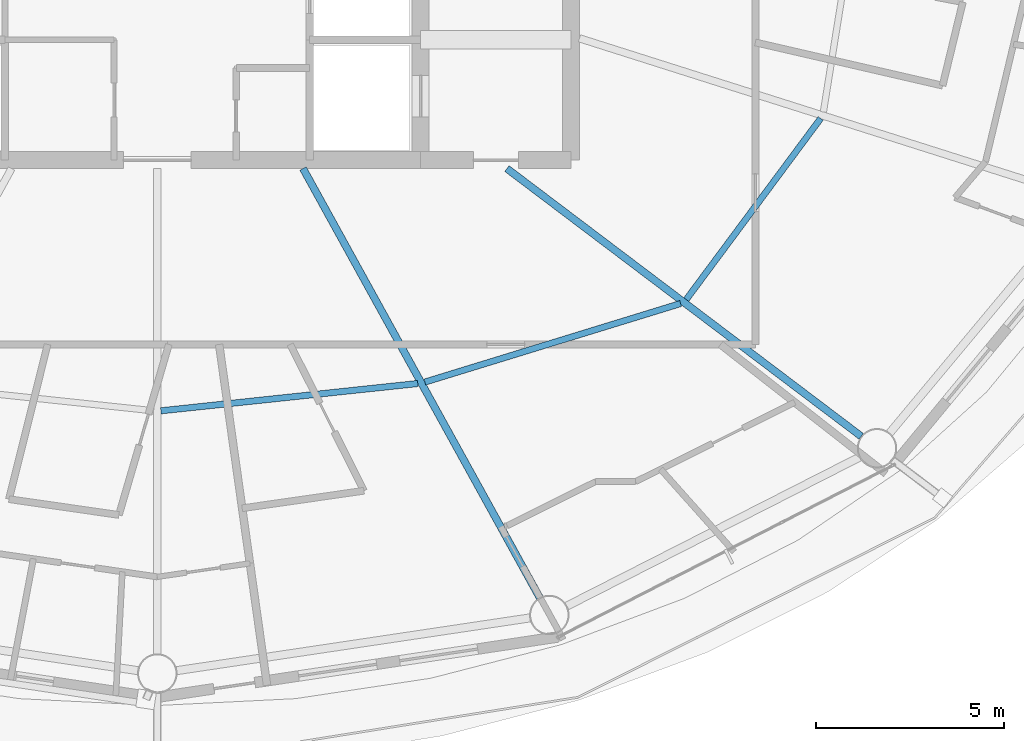
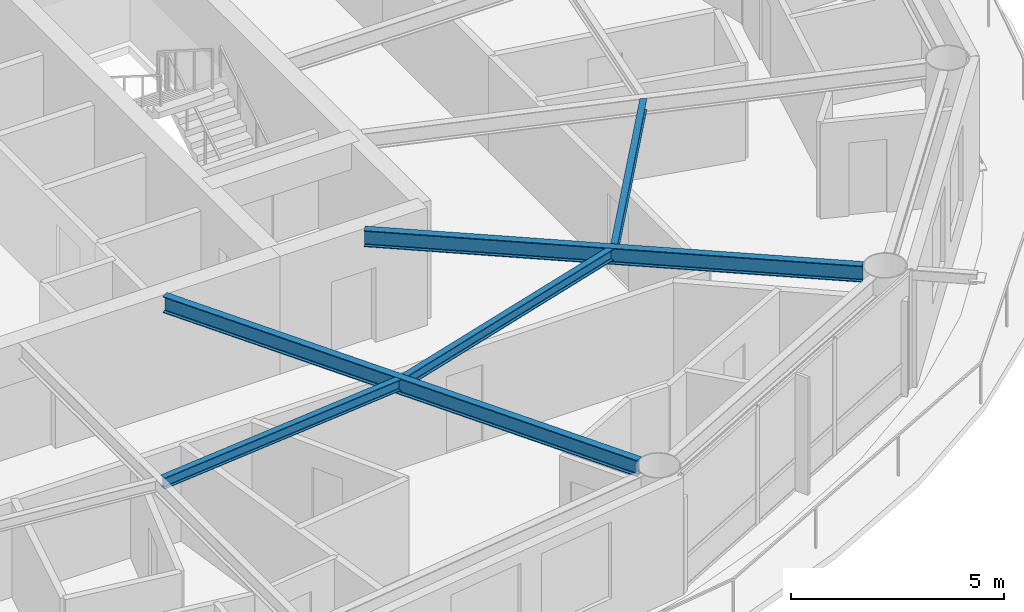
# One storey, part 6 of 30: 5 beams.
"""IFC4 building model written with IfcOpenShell, lengths in metres."""

from ifc_helpers import new_model, si_unit, direction, frame, origin, origin_2d, place, context, subcontext, project, spatial, i_section, extrude, material, material_profile, profile_set, type_object, element, save


model = new_model("IFC4")

# Units and contexts
model_context = context("Model", 3, precision=1e-05, world=origin(), true_north=direction((0.0, 1.0)))
body_context = subcontext(model_context, "Body", "Model", "MODEL_VIEW")
ifc_project = project(units=[si_unit("LENGTHUNIT", "METRE"), si_unit("AREAUNIT", "SQUARE_METRE"), si_unit("VOLUMEUNIT", "CUBIC_METRE"), si_unit("PLANEANGLEUNIT", "RADIAN"), si_unit("MASSUNIT", "GRAM", prefix="KILO")], contexts=[model_context])

# Site, building, storey
site_placement = place(None, origin())
site = spatial("IfcSite", under=ifc_project, at=site_placement, CompositionType="ELEMENT")
building_placement = place(site_placement, origin())
building = spatial("IfcBuilding", under=site, at=building_placement, Name="Sarneth Arch Tower", CompositionType="ELEMENT")
storey_placement = place(building_placement, frame((0.0, 0.0, 168.60009765625)))
storey = spatial("IfcBuildingStorey", under=building, at=storey_placement, Name="L42", CompositionType="ELEMENT", Elevation=168.60009765625)

# Beams
ifc_material_1 = material(Name="Steel S355", Category="steel")
ifc_material_profile_1 = material_profile(ifc_material_1, i_section(OverallWidth=0.1669921875, OverallDepth=0.31689453125, WebThickness=0.007568359375, FlangeThickness=0.01318359375, FilletRadius=0.012939453125, at=origin_2d()), Name="W310x52")
ifc_profile_set_1 = profile_set([ifc_material_profile_1], Name="Steel S355")
beam_type_1 = type_object("IfcBeamType", Name="BM-JOIST-310B", PredefinedType="JOIST", material=ifc_profile_set_1)
beam_1_placement = place(storey_placement, frame((48.095947265625, 28.53515625, 3.221435546875), z_axis=(0.994407831942, 0.105608066799, 0.0), x_axis=(-0.105608066799, 0.994407831942, 0.0)))
element("IfcBeam", 1, at=beam_1_placement, inside=storey, type_object=beam_type_1, Name="L42 Secondary floor joist 13", PredefinedType="JOIST", context=body_context, shape_type="SweptSolid", body=[
    extrude(i_section(OverallWidth=0.1669921875, OverallDepth=0.31689453125, WebThickness=0.007568359375, FlangeThickness=0.01318359375, FilletRadius=0.012939453125, at=origin_2d()), origin(), (0.0, 0.0, 1.0), 6.8681640625),
])
beam_2_placement = place(storey_placement, frame((55.114013671875, 29.299072265625, 3.221435546875), z_axis=(0.955929549608, 0.293596144707, 0.0), x_axis=(-0.293596144707, 0.955929549608, 0.0)))
element("IfcBeam", 2, at=beam_2_placement, inside=storey, type_object=beam_type_1, Name="L42 Secondary floor joist 14", PredefinedType="JOIST", context=body_context, shape_type="SweptSolid", body=[
    extrude(i_section(OverallWidth=0.1669921875, OverallDepth=0.31689453125, WebThickness=0.007568359375, FlangeThickness=0.01318359375, FilletRadius=0.012939453125, at=origin_2d()), origin(), (0.0, 0.0, 1.0), 7.1123046875),
])
beam_3_placement = place(storey_placement, frame((62.062744140625, 31.4931640625, 3.221435546875), z_axis=(0.595933334016, 0.803033910497, 0.0), x_axis=(-0.803033910497, 0.595933334016, 0.0)))
element("IfcBeam", 3, at=beam_3_placement, inside=storey, type_object=beam_type_1, Name="L42 Secondary floor joist 15", PredefinedType="JOIST", context=body_context, shape_type="SweptSolid", body=[
    extrude(i_section(OverallWidth=0.1669921875, OverallDepth=0.31689453125, WebThickness=0.007568359375, FlangeThickness=0.01318359375, FilletRadius=0.012939453125, at=origin_2d()), origin(), (0.0, 0.0, 1.0), 5.99560546875),
])
ifc_material_2 = material(Name="Steel S355", Category="steel")
ifc_material_profile_2 = material_profile(ifc_material_2, i_section(OverallWidth=0.193115234375, OverallDepth=0.466064453125, WebThickness=0.011474609375, FlangeThickness=0.01904296875, FilletRadius=0.01806640625, at=origin_2d()), Name="W460x97")
ifc_profile_set_2 = profile_set([ifc_material_profile_2], Name="Steel S355")
beam_type_2 = type_object("IfcBeamType", Name="BM-RAD-460C", PredefinedType="BEAM", material=ifc_profile_set_2)
beam_4_placement = place(storey_placement, frame((51.875, 34.97509765625, 3.14697265625), z_axis=(0.483004525121, -0.87561785541, 0.0), x_axis=(0.87561785541, 0.483004525121, 0.0)))
element("IfcBeam", 4, at=beam_4_placement, inside=storey, type_object=beam_type_2, Name="L42 Radial floor girder 14", PredefinedType="BEAM", context=body_context, shape_type="SweptSolid", body=[
    extrude(i_section(OverallWidth=0.193115234375, OverallDepth=0.466064453125, WebThickness=0.011474609375, FlangeThickness=0.01904296875, FilletRadius=0.01806640625, at=origin_2d()), origin(), (0.0, 0.0, 1.0), 13.029296875),
])
beam_5_placement = place(storey_placement, frame((57.29541015625, 34.97509765625, 3.14697265625), z_axis=(0.797786205076, -0.602940437349, 0.0), x_axis=(0.602940437349, 0.797786205076, 0.0)))
element("IfcBeam", 5, at=beam_5_placement, inside=storey, type_object=beam_type_2, Name="L42 Radial floor girder 15", PredefinedType="BEAM", context=body_context, shape_type="SweptSolid", body=[
    extrude(i_section(OverallWidth=0.193115234375, OverallDepth=0.466064453125, WebThickness=0.011474609375, FlangeThickness=0.01904296875, FilletRadius=0.01806640625, at=origin_2d()), origin(), (0.0, 0.0, 1.0), 11.806884765625),
])

save(model, "model.ifc")
